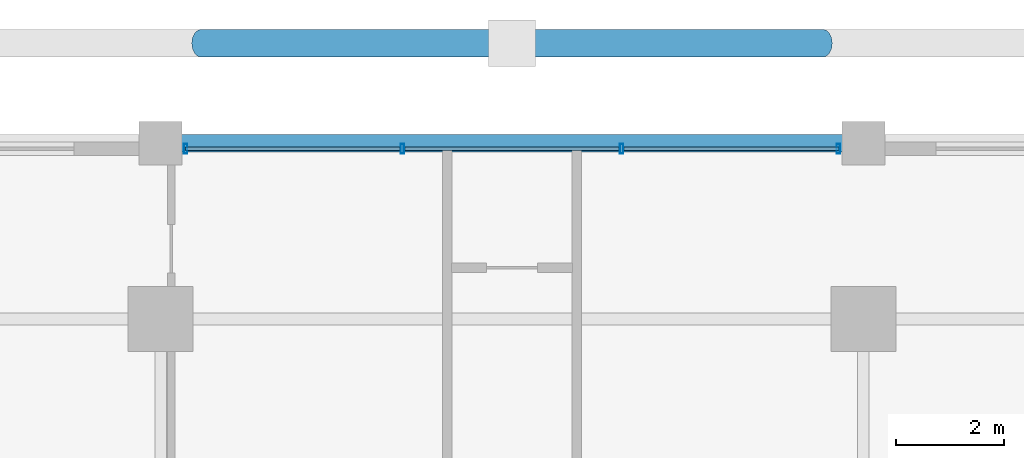
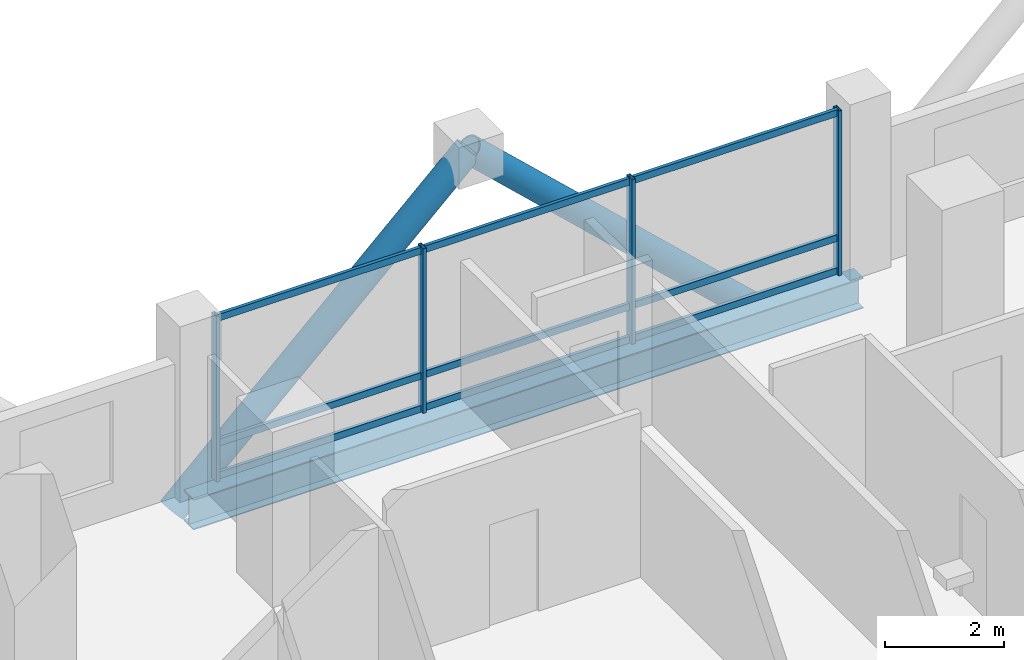
# One storey, part 13 of 23: 15 members, 1 beam, 1 element without a shape of its own.
"""IFC4 building model written with IfcOpenShell, lengths in metres."""

from ifc_helpers import new_model, si_unit, direction, frame, origin, origin_2d, place, context, subcontext, project, spatial, hollow_rectangle, hollow_circle, i_section, extrude, material, layer, layer_set, material_profile, profile_set, type_object, element, aggregate, save


model = new_model("IFC4")

# Units and contexts
model_context = context("Model", 3, precision=1e-05, world=origin(), true_north=direction((0.0, 1.0)))
body_context = subcontext(model_context, "Body", "Model", "MODEL_VIEW")
ifc_project = project(units=[si_unit("LENGTHUNIT", "METRE"), si_unit("AREAUNIT", "SQUARE_METRE"), si_unit("VOLUMEUNIT", "CUBIC_METRE"), si_unit("PLANEANGLEUNIT", "RADIAN"), si_unit("MASSUNIT", "GRAM", prefix="KILO")], contexts=[model_context])

# Site, building, storey
site_placement = place(None, origin())
site = spatial("IfcSite", under=ifc_project, at=site_placement, CompositionType="ELEMENT")
building_placement = place(site_placement, origin())
building = spatial("IfcBuilding", under=site, at=building_placement, Name="Barlavira Tower and Art Museum", CompositionType="ELEMENT")
storey_placement = place(building_placement, frame((0.0, 0.0, 151.199951171875)))
storey = spatial("IfcBuildingStorey", under=building, at=storey_placement, Name="L38", CompositionType="ELEMENT", Elevation=151.199951171875)

# Curtain wall, members
ifc_material_1 = material(Name="Low-iron coastal laminated glass", Category="glass")
ifc_layer = layer(ifc_material_1, 0.18994140625, Name="Low-iron coastal laminated glass")
ifc_layer_set = layer_set([ifc_layer], Name="Low-iron coastal laminated glass")
curtain_wall_type = type_object("IfcCurtainWallType", Name="Pale-Metal Unitised Curtain Wall Zone 2", PredefinedType="NOTDEFINED", material=ifc_layer_set)
curtain_wall_placement = place(storey_placement, origin())
curtain_wall = element("IfcCurtainWall", 1, at=curtain_wall_placement, inside=storey, type_object=curtain_wall_type, Name="L38 Curtain Wall CW2-L38-N-B3", PredefinedType="NOTDEFINED")
ifc_material_2 = material(Name="Pale anodised aluminium", Category="aluminium")
ifc_material_profile_1 = material_profile(ifc_material_2, hollow_rectangle(XDim=0.06494140625, YDim=0.179931640625, WallThickness=0.00390625, at=origin_2d()), Name="ALU-MULL 65x180x4")
ifc_profile_set_1 = profile_set([ifc_material_profile_1], Name="Pale anodised aluminium")
member_type_1 = type_object("IfcMemberType", Name="Curtain Wall Pale-Metal Mullion 65x180", PredefinedType="MULLION", material=ifc_profile_set_1)
member_1_placement = place(storey_placement, frame((6.034912109375, 23.14990234375, 0.0), z_axis=(0.0, 0.0, 1.0), x_axis=(-1.0, 0.0, 0.0)))
member_1 = element("IfcMember", 2, at=member_1_placement, type_object=member_type_1, Name="CW2-L38-N-B3 Mullion 0", PredefinedType="MULLION", context=body_context, shape_type="SweptSolid", body=[
    extrude(hollow_rectangle(XDim=0.06494140625, YDim=0.179931640625, WallThickness=0.00390625, at=origin_2d()), origin(), (0.0, 0.0, 1.0), 3.380126953125),
])
member_2_placement = place(storey_placement, frame((2.026611328125, 23.14990234375, 0.0), z_axis=(0.0, 0.0, 1.0), x_axis=(-1.0, 0.0, 0.0)))
member_2 = element("IfcMember", 3, at=member_2_placement, type_object=member_type_1, Name="CW2-L38-N-B3 Mullion 1", PredefinedType="MULLION", context=body_context, shape_type="SweptSolid", body=[
    extrude(hollow_rectangle(XDim=0.06494140625, YDim=0.179931640625, WallThickness=0.00390625, at=origin_2d()), origin(), (0.0, 0.0, 1.0), 3.380126953125),
])
member_3_placement = place(storey_placement, frame((-2.026611328125, 23.14990234375, 0.0), z_axis=(0.0, 0.0, 1.0), x_axis=(-1.0, 0.0, 0.0)))
member_3 = element("IfcMember", 4, at=member_3_placement, type_object=member_type_1, Name="CW2-L38-N-B3 Mullion 2", PredefinedType="MULLION", context=body_context, shape_type="SweptSolid", body=[
    extrude(hollow_rectangle(XDim=0.06494140625, YDim=0.179931640625, WallThickness=0.00390625, at=origin_2d()), origin(), (0.0, 0.0, 1.0), 3.380126953125),
])
member_4_placement = place(storey_placement, frame((-6.034912109375, 23.14990234375, 0.0), z_axis=(0.0, 0.0, 1.0), x_axis=(-1.0, 0.0, 0.0)))
member_4 = element("IfcMember", 5, at=member_4_placement, type_object=member_type_1, Name="CW2-L38-N-B3 Mullion 3", PredefinedType="MULLION", context=body_context, shape_type="SweptSolid", body=[
    extrude(hollow_rectangle(XDim=0.06494140625, YDim=0.179931640625, WallThickness=0.00390625, at=origin_2d()), origin(), (0.0, 0.0, 1.0), 3.380126953125),
])
ifc_material_profile_2 = material_profile(ifc_material_2, hollow_rectangle(XDim=0.06494140625, YDim=0.139892578125, WallThickness=0.00390625, at=origin_2d()), Name="ALU-TRAN 65x140x4")
ifc_profile_set_2 = profile_set([ifc_material_profile_2], Name="Pale anodised aluminium")
member_type_2 = type_object("IfcMemberType", Name="Curtain Wall Pale-Metal Transom 65x140", PredefinedType="USERDEFINED", material=ifc_profile_set_2)
member_5_placement = place(storey_placement, frame((6.034912109375, 23.14990234375, 0.070068359375), z_axis=(-1.0, 0.0, 0.0), x_axis=(0.0, -1.0, 0.0)))
member_5 = element("IfcMember", 6, at=member_5_placement, type_object=member_type_2, Name="CW2-L38-N-B3 Transom 0.1", ObjectType="TRANSOM", PredefinedType="USERDEFINED", context=body_context, shape_type="SweptSolid", body=[
    extrude(hollow_rectangle(XDim=0.06494140625, YDim=0.139892578125, WallThickness=0.00390625, at=origin_2d()), origin(), (0.0, 0.0, 1.0), 3.963134765625),
])
member_6_placement = place(storey_placement, frame((6.034912109375, 23.14990234375, 0.744140625), z_axis=(-1.0, 0.0, 0.0), x_axis=(0.0, -1.0, 0.0)))
member_6 = element("IfcMember", 7, at=member_6_placement, type_object=member_type_2, Name="CW2-L38-N-B3 Transom 0.2", ObjectType="TRANSOM", PredefinedType="USERDEFINED", context=body_context, shape_type="SweptSolid", body=[
    extrude(hollow_rectangle(XDim=0.06494140625, YDim=0.139892578125, WallThickness=0.00390625, at=origin_2d()), origin(), (0.0, 0.0, 1.0), 3.963134765625),
])
member_7_placement = place(storey_placement, frame((6.034912109375, 23.14990234375, 3.31005859375), z_axis=(-1.0, 0.0, 0.0), x_axis=(0.0, -1.0, 0.0)))
member_7 = element("IfcMember", 8, at=member_7_placement, type_object=member_type_2, Name="CW2-L38-N-B3 Transom 0.3", ObjectType="TRANSOM", PredefinedType="USERDEFINED", context=body_context, shape_type="SweptSolid", body=[
    extrude(hollow_rectangle(XDim=0.06494140625, YDim=0.139892578125, WallThickness=0.00390625, at=origin_2d()), origin(), (0.0, 0.0, 1.0), 3.963134765625),
])
member_8_placement = place(storey_placement, frame((1.981689453125, 23.14990234375, 0.070068359375), z_axis=(-1.0, 0.0, 0.0), x_axis=(0.0, -1.0, 0.0)))
member_8 = element("IfcMember", 9, at=member_8_placement, type_object=member_type_2, Name="CW2-L38-N-B3 Transom 1.1", ObjectType="TRANSOM", PredefinedType="USERDEFINED", context=body_context, shape_type="SweptSolid", body=[
    extrude(hollow_rectangle(XDim=0.06494140625, YDim=0.139892578125, WallThickness=0.00390625, at=origin_2d()), origin(), (0.0, 0.0, 1.0), 3.96337890625),
])
member_9_placement = place(storey_placement, frame((1.981689453125, 23.14990234375, 0.744140625), z_axis=(-1.0, 0.0, 0.0), x_axis=(0.0, -1.0, 0.0)))
member_9 = element("IfcMember", 10, at=member_9_placement, type_object=member_type_2, Name="CW2-L38-N-B3 Transom 1.2", ObjectType="TRANSOM", PredefinedType="USERDEFINED", context=body_context, shape_type="SweptSolid", body=[
    extrude(hollow_rectangle(XDim=0.06494140625, YDim=0.139892578125, WallThickness=0.00390625, at=origin_2d()), origin(), (0.0, 0.0, 1.0), 3.96337890625),
])
member_10_placement = place(storey_placement, frame((1.981689453125, 23.14990234375, 3.31005859375), z_axis=(-1.0, 0.0, 0.0), x_axis=(0.0, -1.0, 0.0)))
member_10 = element("IfcMember", 11, at=member_10_placement, type_object=member_type_2, Name="CW2-L38-N-B3 Transom 1.3", ObjectType="TRANSOM", PredefinedType="USERDEFINED", context=body_context, shape_type="SweptSolid", body=[
    extrude(hollow_rectangle(XDim=0.06494140625, YDim=0.139892578125, WallThickness=0.00390625, at=origin_2d()), origin(), (0.0, 0.0, 1.0), 3.96337890625),
])
member_11_placement = place(storey_placement, frame((-2.07177734375, 23.14990234375, 0.070068359375), z_axis=(-1.0, 0.0, 0.0), x_axis=(0.0, -1.0, 0.0)))
member_11 = element("IfcMember", 12, at=member_11_placement, type_object=member_type_2, Name="CW2-L38-N-B3 Transom 2.1", ObjectType="TRANSOM", PredefinedType="USERDEFINED", context=body_context, shape_type="SweptSolid", body=[
    extrude(hollow_rectangle(XDim=0.06494140625, YDim=0.139892578125, WallThickness=0.00390625, at=origin_2d()), origin(), (0.0, 0.0, 1.0), 3.963134765625),
])
member_12_placement = place(storey_placement, frame((-2.07177734375, 23.14990234375, 0.744140625), z_axis=(-1.0, 0.0, 0.0), x_axis=(0.0, -1.0, 0.0)))
member_12 = element("IfcMember", 13, at=member_12_placement, type_object=member_type_2, Name="CW2-L38-N-B3 Transom 2.2", ObjectType="TRANSOM", PredefinedType="USERDEFINED", context=body_context, shape_type="SweptSolid", body=[
    extrude(hollow_rectangle(XDim=0.06494140625, YDim=0.139892578125, WallThickness=0.00390625, at=origin_2d()), origin(), (0.0, 0.0, 1.0), 3.963134765625),
])
member_13_placement = place(storey_placement, frame((-2.07177734375, 23.14990234375, 3.31005859375), z_axis=(-1.0, 0.0, 0.0), x_axis=(0.0, -1.0, 0.0)))
member_13 = element("IfcMember", 14, at=member_13_placement, type_object=member_type_2, Name="CW2-L38-N-B3 Transom 2.3", ObjectType="TRANSOM", PredefinedType="USERDEFINED", context=body_context, shape_type="SweptSolid", body=[
    extrude(hollow_rectangle(XDim=0.06494140625, YDim=0.139892578125, WallThickness=0.00390625, at=origin_2d()), origin(), (0.0, 0.0, 1.0), 3.963134765625),
])
aggregate(curtain_wall, [member_1, member_2, member_3, member_4, member_5, member_6, member_7, member_8, member_9, member_10, member_11, member_12, member_13])

# Members
ifc_material_3 = material(Name="Steel S355", Category="steel")
ifc_material_profile_3 = material_profile(ifc_material_3, hollow_circle(Radius=0.25390625, WallThickness=0.022216796875, at=origin_2d()), Name="CHS 508.0x22.2")
ifc_profile_set_3 = profile_set([ifc_material_profile_3], Name="Steel S355")
member_type_3 = type_object("IfcMemberType", Name="Pale-Metal Exoskeleton Diagrid Tube CHS 508x22 Steel S355", PredefinedType="BRACE", material=ifc_profile_set_3)
for number, where, z_axis, x_axis, name in (
    (15, (-5.75, 25.10009765625, -1.919921875), (0.728950095515, 0.0, 0.684566839869), (0.0, 1.0, 0.0), "L38 Exoskeleton Diagrid Tube N"),
    (16, (5.75, 25.10009765625, -1.919921875), (-0.728950095515, 0.0, 0.684566839869), (0.0, -1.0, 0.0), "L38 Exoskeleton Diagrid Tube N"),
):
    element("IfcMember", number, at=place(storey_placement, frame(where, z_axis=z_axis, x_axis=x_axis)), inside=storey, type_object=member_type_3, Name=name, PredefinedType="BRACE", context=body_context, shape_type="SweptSolid", body=[
        extrude(hollow_circle(Radius=0.25390625, WallThickness=0.022216796875, at=origin_2d()), origin(), (0.0, 0.0, 1.0), 7.887939453125),
    ])

# Beam
ifc_material_profile_4 = material_profile(ifc_material_3, i_section(OverallWidth=0.327880859375, OverallDepth=0.62890625, WebThickness=0.013916015625, FlangeThickness=0.021484375, at=origin_2d()), Name="W610x174.0")
ifc_profile_set_4 = profile_set([ifc_material_profile_4], Name="Steel S355")
beam_type = type_object("IfcBeamType", Name="Perimeter Spandrel Edge Beam W610x174 Steel S355", PredefinedType="SPANDREL", material=ifc_profile_set_4)
beam_placement = place(storey_placement, frame((-6.5, 23.25, -0.534423828125), z_axis=(1.0, 0.0, 0.0), x_axis=(0.0, 1.0, 0.0)))
element("IfcBeam", 17, at=beam_placement, inside=storey, type_object=beam_type, Name="L38 Spandrel 10", PredefinedType="SPANDREL", context=body_context, shape_type="SweptSolid", body=[
    extrude(i_section(OverallWidth=0.327880859375, OverallDepth=0.62890625, WebThickness=0.013916015625, FlangeThickness=0.021484375, at=origin_2d()), origin(), (0.0, 0.0, 1.0), 13.0),
])

save(model, "model.ifc")
